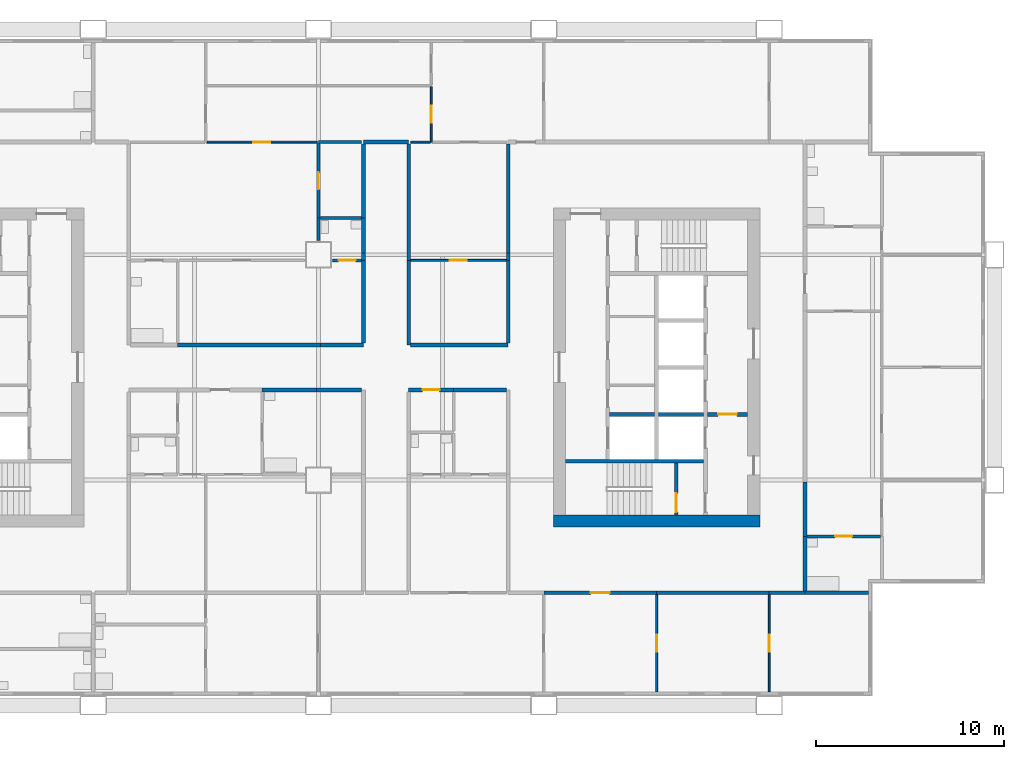
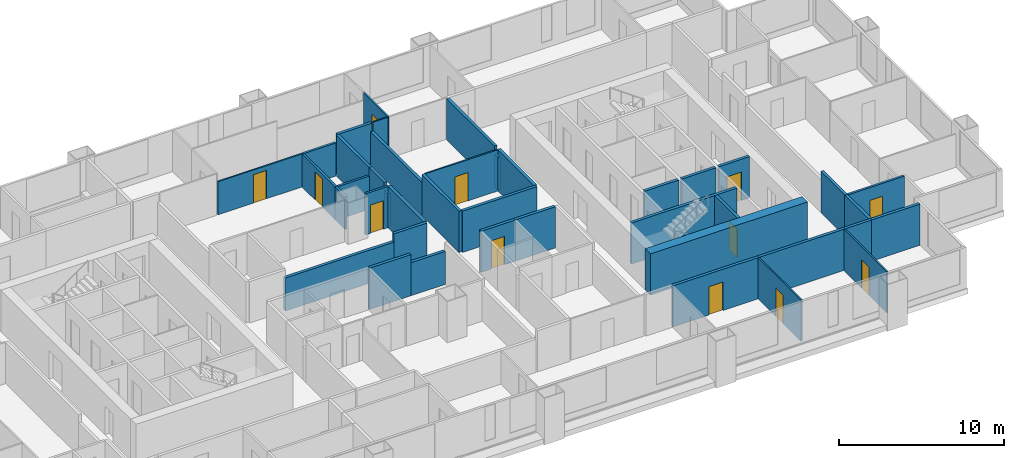
# One storey, part 6 of 11: 41 walls, 12 doors, 12 openings.
"""IFC4 building model written with IfcOpenShell, lengths in metres."""

from ifc_helpers import new_model, si_unit, direction, frame, frame_2d, origin, place, context, subcontext, project, spatial, rectangle, extrude, material, layer, layer_set, type_object, element, fill, save


model = new_model("IFC4")

# Units and contexts
model_context = context("Model", 3, precision=1e-05, world=origin(), true_north=direction((0.0, 1.0)))
body_context = subcontext(model_context, "Body", "Model", "MODEL_VIEW")
ifc_project = project(units=[si_unit("LENGTHUNIT", "METRE"), si_unit("AREAUNIT", "SQUARE_METRE"), si_unit("VOLUMEUNIT", "CUBIC_METRE"), si_unit("PLANEANGLEUNIT", "RADIAN"), si_unit("MASSUNIT", "GRAM", prefix="KILO")], contexts=[model_context])

# Site, building, storey
site_placement = place(None, origin())
site = spatial("IfcSite", under=ifc_project, at=site_placement, CompositionType="ELEMENT")
building_placement = place(site_placement, origin())
building = spatial("IfcBuilding", under=site, at=building_placement, Name="Kitamizu Gate Tower and Museum", CompositionType="ELEMENT")
storey_placement = place(building_placement, frame((0.0, 0.0, 141.449951171875)))
storey = spatial("IfcBuildingStorey", under=building, at=storey_placement, Name="L37", CompositionType="ELEMENT", Elevation=141.449951171875)

# Wall
ifc_material_1 = material(Name="Concrete Fc60", Category="concrete")
ifc_layer_1 = layer(ifc_material_1, 0.64990234375)
ifc_layer_set_1 = layer_set([ifc_layer_1], Name="Concrete Fc60")
wall_type_1 = type_object("IfcWallType", Name="Core wall 650", PredefinedType="SHEAR", material=ifc_layer_set_1)
wall_1_placement = place(storey_placement, frame((59.5, 21.824951171875, 0.0), z_axis=(0.0, 0.0, 1.0), x_axis=(-1.0, 0.0, 0.0)))
element("IfcWall", 1, at=wall_1_placement, inside=storey, type_object=wall_type_1, Name="Core wall ES", PredefinedType="SHEAR", context=body_context, shape_type="SweptSolid", body=[
    extrude(rectangle(XDim=11.0, YDim=0.64990234375, at=frame_2d((5.5, 0.0))), origin(), (0.0, 0.0, 1.0), 3.050048828125),
])

# Wall, opening, door
ifc_material_2 = material(Name="Gypsum board on galvanised stud")
ifc_layer_2 = layer(ifc_material_2, 0.10009765625)
ifc_layer_set_2 = layer_set([ifc_layer_2], Name="Gypsum board on galvanised stud")
wall_type_2 = type_object("IfcWallType", Name="Partition 100 NOT RATED", PredefinedType="PARTITIONING", material=ifc_layer_set_2)
wall_2_placement = place(storey_placement, frame((54.0, 12.719970703125, 0.0), z_axis=(0.0, 0.0, 1.0), x_axis=(0.0, 1.0, 0.0)))
wall_2 = element("IfcWall", 2, at=wall_2_placement, inside=storey, type_object=wall_type_2, Name="Partition L37-065", PredefinedType="PARTITIONING", context=body_context, shape_type="SweptSolid", body=[
    extrude(rectangle(XDim=5.179931640625, YDim=0.10009765625, at=frame_2d((2.58984375, 0.0))), origin(), (0.0, 0.0, 1.0), 3.050048828125),
])
opening_1_placement = place(wall_2_placement, frame((2.139892578125, 0.0, 0.0)))
opening_1 = element("IfcOpeningElement", 3, at=opening_1_placement, cuts=wall_2, Name="Opening L37-024", PredefinedType="OPENING", context=body_context, shape_type="SweptSolid", body=[
    extrude(rectangle(XDim=0.89990234375, YDim=2.10009765625, at=frame_2d((0.449951171875, 1.050048828125))), frame((0.0, 0.06005859375, 0.0), z_axis=(0.0, -1.0, 0.0), x_axis=(1.0, 0.0, 0.0)), (0.0, 0.0, 1.0), 0.1201171875),
])
ifc_material_3 = material(Name="Timber door set", Category="wood")
door_type_1 = type_object("IfcDoorType", Name="Room door 900", OperationType="NOTDEFINED", PredefinedType="DOOR", material=ifc_material_3)
door_1_placement = place(opening_1_placement, frame((0.89990234375, 0.0, 0.0), x_axis=(-1.0, 0.0, 0.0)))
door_1 = element("IfcDoor", 4, at=door_1_placement, inside=storey, type_object=door_type_1, Name="Door L37-024", OperationType="SINGLE_SWING_LEFT", OverallHeight=2.10009765625, OverallWidth=0.89990234375, PredefinedType="DOOR", context=body_context, shape_type="SweptSolid", body=[
    extrude(rectangle(XDim=0.89990234375, YDim=2.10009765625, at=frame_2d((0.449951171875, 1.050048828125))), frame((0.0, 0.02490234375, 0.0), z_axis=(0.0, -1.0, 0.0), x_axis=(1.0, 0.0, 0.0)), (0.0, 0.0, 1.0), 0.050048828125),
])
fill(opening_1, door_1)

wall_3_placement = place(storey_placement, frame((60.0, 12.719970703125, 0.0), z_axis=(0.0, 0.0, 1.0), x_axis=(0.0, 1.0, 0.0)))
wall_3 = element("IfcWall", 5, at=wall_3_placement, inside=storey, type_object=wall_type_2, Name="Partition L37-067", PredefinedType="PARTITIONING", context=body_context, shape_type="SweptSolid", body=[
    extrude(rectangle(XDim=5.179931640625, YDim=0.10009765625, at=frame_2d((2.58984375, 0.0))), origin(), (0.0, 0.0, 1.0), 3.050048828125),
])
opening_2_placement = place(wall_3_placement, frame((2.139892578125, 0.0, 0.0)))
opening_2 = element("IfcOpeningElement", 6, at=opening_2_placement, cuts=wall_3, Name="Opening L37-026", PredefinedType="OPENING", context=body_context, shape_type="SweptSolid", body=[
    extrude(rectangle(XDim=0.89990234375, YDim=2.10009765625, at=frame_2d((0.449951171875, 1.050048828125))), frame((0.0, 0.06005859375, 0.0), z_axis=(0.0, -1.0, 0.0), x_axis=(1.0, 0.0, 0.0)), (0.0, 0.0, 1.0), 0.1201171875),
])
door_2_placement = place(opening_2_placement, frame((0.89990234375, 0.0, 0.0), x_axis=(-1.0, 0.0, 0.0)))
door_2 = element("IfcDoor", 7, at=door_2_placement, inside=storey, type_object=door_type_1, Name="Door L37-026", OperationType="SINGLE_SWING_LEFT", OverallHeight=2.10009765625, OverallWidth=0.89990234375, PredefinedType="DOOR", context=body_context, shape_type="SweptSolid", body=[
    extrude(rectangle(XDim=0.89990234375, YDim=2.10009765625, at=frame_2d((0.449951171875, 1.050048828125))), frame((0.0, 0.02490234375, 0.0), z_axis=(0.0, -1.0, 0.0), x_axis=(1.0, 0.0, 0.0)), (0.0, 0.0, 1.0), 0.050048828125),
])
fill(opening_2, door_2)

wall_4_placement = place(storey_placement, frame((42.0, 42.0, 0.0), z_axis=(0.0, 0.0, 1.0), x_axis=(0.0, 1.0, 0.0)))
wall_4 = element("IfcWall", 8, at=wall_4_placement, inside=storey, type_object=wall_type_2, Name="Partition L37-119", PredefinedType="PARTITIONING", context=body_context, shape_type="SweptSolid", body=[
    extrude(rectangle(XDim=2.949951171875, YDim=0.10009765625, at=frame_2d((1.47509765625, 0.0))), origin(), (0.0, 0.0, 1.0), 3.050048828125),
])
opening_3_placement = place(wall_4_placement, frame((1.02490234375, 0.0, 0.0)))
opening_3 = element("IfcOpeningElement", 9, at=opening_3_placement, cuts=wall_4, Name="Opening L37-044", PredefinedType="OPENING", context=body_context, shape_type="SweptSolid", body=[
    extrude(rectangle(XDim=0.89990234375, YDim=2.10009765625, at=frame_2d((0.449951171875, 1.050048828125))), frame((0.0, 0.06005859375, 0.0), z_axis=(0.0, -1.0, 0.0), x_axis=(1.0, 0.0, 0.0)), (0.0, 0.0, 1.0), 0.1201171875),
])
door_3_placement = place(opening_3_placement, origin())
door_3 = element("IfcDoor", 10, at=door_3_placement, inside=storey, type_object=door_type_1, Name="Door L37-044", OperationType="SINGLE_SWING_RIGHT", OverallHeight=2.10009765625, OverallWidth=0.89990234375, PredefinedType="DOOR", context=body_context, shape_type="SweptSolid", body=[
    extrude(rectangle(XDim=0.89990234375, YDim=2.10009765625, at=frame_2d((0.449951171875, 1.050048828125))), frame((0.0, 0.02490234375, 0.0), z_axis=(0.0, -1.0, 0.0), x_axis=(1.0, 0.0, 0.0)), (0.0, 0.0, 1.0), 0.050048828125),
])
fill(opening_3, door_3)

wall_5_placement = place(storey_placement, frame((30.050048828125, 42.0, 0.0), z_axis=(0.0, 0.0, 1.0), x_axis=(1.0, 0.0, 0.0)))
wall_5 = element("IfcWall", 11, at=wall_5_placement, inside=storey, type_object=wall_type_2, Name="Partition L37-120", PredefinedType="PARTITIONING", context=body_context, shape_type="SweptSolid", body=[
    extrude(rectangle(XDim=5.875, YDim=0.10009765625, at=frame_2d((2.9375, 0.0))), origin(), (0.0, 0.0, 1.0), 2.449951171875),
])
opening_4_placement = place(wall_5_placement, frame((2.487548828125, 0.0, 0.0)))
opening_4 = element("IfcOpeningElement", 12, at=opening_4_placement, cuts=wall_5, Name="Opening L37-049", PredefinedType="OPENING", context=body_context, shape_type="SweptSolid", body=[
    extrude(rectangle(XDim=0.89990234375, YDim=2.10009765625, at=frame_2d((0.449951171875, 1.050048828125))), frame((0.0, 0.06005859375, 0.0), z_axis=(0.0, -1.0, 0.0), x_axis=(1.0, 0.0, 0.0)), (0.0, 0.0, 1.0), 0.1201171875),
])
door_4_placement = place(opening_4_placement, origin())
door_4 = element("IfcDoor", 13, at=door_4_placement, inside=storey, type_object=door_type_1, Name="Door L37-049", OperationType="SINGLE_SWING_RIGHT", OverallHeight=2.10009765625, OverallWidth=0.89990234375, PredefinedType="DOOR", context=body_context, shape_type="SweptSolid", body=[
    extrude(rectangle(XDim=0.89990234375, YDim=2.10009765625, at=frame_2d((0.449951171875, 1.050048828125))), frame((0.0, 0.02490234375, 0.0), z_axis=(0.0, -1.0, 0.0), x_axis=(1.0, 0.0, 0.0)), (0.0, 0.0, 1.0), 0.050048828125),
])
fill(opening_4, door_4)

# Wall
wall_6_placement = place(storey_placement, frame((40.89990234375, 42.0, 0.0), z_axis=(0.0, 0.0, 1.0), x_axis=(1.0, 0.0, 0.0)))
element("IfcWall", 14, at=wall_6_placement, inside=storey, type_object=wall_type_2, Name="Partition L37-122", PredefinedType="PARTITIONING", context=body_context, shape_type="SweptSolid", body=[
    extrude(rectangle(XDim=1.050048828125, YDim=0.10009765625, at=frame_2d((0.52490234375, 0.0))), origin(), (0.0, 0.0, 1.0), 3.050048828125),
])

# Wall, opening, door
wall_7_placement = place(storey_placement, frame((40.89990234375, 35.699951171875, 0.0), z_axis=(0.0, 0.0, 1.0), x_axis=(1.0, 0.0, 0.0)))
wall_7 = element("IfcWall", 15, at=wall_7_placement, inside=storey, type_object=wall_type_2, Name="Partition L37-147", PredefinedType="PARTITIONING", context=body_context, shape_type="SweptSolid", body=[
    extrude(rectangle(XDim=5.10009765625, YDim=0.10009765625, at=frame_2d((2.550048828125, 0.0))), origin(), (0.0, 0.0, 1.0), 3.050048828125),
])
opening_5_placement = place(wall_7_placement, frame((2.10009765625, 0.0, 0.0)))
opening_5 = element("IfcOpeningElement", 16, at=opening_5_placement, cuts=wall_7, Name="Opening L37-053", PredefinedType="OPENING", context=body_context, shape_type="SweptSolid", body=[
    extrude(rectangle(XDim=0.89990234375, YDim=2.10009765625, at=frame_2d((0.449951171875, 1.050048828125))), frame((0.0, 0.06005859375, 0.0), z_axis=(0.0, -1.0, 0.0), x_axis=(1.0, 0.0, 0.0)), (0.0, 0.0, 1.0), 0.1201171875),
])
door_5_placement = place(opening_5_placement, frame((0.89990234375, 0.0, 0.0), x_axis=(-1.0, 0.0, 0.0)))
door_5 = element("IfcDoor", 17, at=door_5_placement, inside=storey, type_object=door_type_1, Name="Door L37-053", OperationType="SINGLE_SWING_LEFT", OverallHeight=2.10009765625, OverallWidth=0.89990234375, PredefinedType="DOOR", context=body_context, shape_type="SweptSolid", body=[
    extrude(rectangle(XDim=0.89990234375, YDim=2.10009765625, at=frame_2d((0.449951171875, 1.050048828125))), frame((0.0, 0.02490234375, 0.0), z_axis=(0.0, -1.0, 0.0), x_axis=(1.0, 0.0, 0.0)), (0.0, 0.0, 1.0), 0.050048828125),
])
fill(opening_5, door_5)

ifc_material_4 = material(Name="Gypsum board on galvanised stud")
ifc_layer_3 = layer(ifc_material_4, 0.14990234375)
ifc_layer_set_3 = layer_set([ifc_layer_3], Name="Gypsum board on galvanised stud")
wall_type_3 = type_object("IfcWallType", Name="Partition 150", PredefinedType="PARTITIONING", material=ifc_layer_set_3)
wall_8_placement = place(storey_placement, frame((65.925048828125, 21.0, 0.0), z_axis=(0.0, 0.0, 1.0), x_axis=(-1.0, 0.0, 0.0)))
wall_8 = element("IfcWall", 18, at=wall_8_placement, inside=storey, type_object=wall_type_3, Name="Partition L37-094", PredefinedType="PARTITIONING", context=body_context, shape_type="SweptSolid", body=[
    extrude(rectangle(XDim=3.925048828125, YDim=0.14990234375, at=frame_2d((1.96240234375, 0.0))), origin(), (0.0, 0.0, 1.0), 3.050048828125),
])
opening_6_placement = place(wall_8_placement, frame((1.512451171875, 0.0, 0.0)))
opening_6 = element("IfcOpeningElement", 19, at=opening_6_placement, cuts=wall_8, Name="Opening L37-037", PredefinedType="OPENING", context=body_context, shape_type="SweptSolid", body=[
    extrude(rectangle(XDim=0.89990234375, YDim=2.10009765625, at=frame_2d((0.449951171875, 1.050048828125))), frame((0.0, 0.0849609375, 0.0), z_axis=(0.0, -1.0, 0.0), x_axis=(1.0, 0.0, 0.0)), (0.0, 0.0, 1.0), 0.169921875),
])
ifc_material_5 = material(Name="Timber door set", Category="wood")
door_type_2 = type_object("IfcDoorType", Name="Bathroom door 900", OperationType="NOTDEFINED", PredefinedType="DOOR", material=ifc_material_5)
door_6_placement = place(opening_6_placement, origin())
door_6 = element("IfcDoor", 20, at=door_6_placement, inside=storey, type_object=door_type_2, Name="Bathroom door L37-037", OperationType="SINGLE_SWING_RIGHT", OverallHeight=2.10009765625, OverallWidth=0.89990234375, PredefinedType="DOOR", context=body_context, shape_type="SweptSolid", body=[
    extrude(rectangle(XDim=0.89990234375, YDim=2.10009765625, at=frame_2d((0.449951171875, 1.050048828125))), frame((0.0, 0.02490234375, 0.0), z_axis=(0.0, -1.0, 0.0), x_axis=(1.0, 0.0, 0.0)), (0.0, 0.0, 1.0), 0.050048828125),
])
fill(opening_6, door_6)

# Walls
wall_9_placement = place(storey_placement, frame((36.0, 42.0, 0.0), z_axis=(0.0, 0.0, 1.0), x_axis=(1.0, 0.0, 0.0)))
element("IfcWall", 21, at=wall_9_placement, inside=storey, type_object=wall_type_3, Name="Partition L37-121", PredefinedType="PARTITIONING", context=body_context, shape_type="SweptSolid", body=[
    extrude(rectangle(XDim=2.300048828125, YDim=0.14990234375, at=frame_2d((1.14990234375, 0.0))), origin(), (0.0, 0.0, 1.0), 2.449951171875),
])
wall_10_placement = place(storey_placement, frame((36.0, 36.75, 0.0), z_axis=(0.0, 0.0, 1.0), x_axis=(0.0, 1.0, 0.0)))
element("IfcWall", 22, at=wall_10_placement, inside=storey, type_object=wall_type_3, Name="Partition L37-131", PredefinedType="PARTITIONING", context=body_context, shape_type="SweptSolid", body=[
    extrude(rectangle(XDim=1.199951171875, YDim=0.14990234375, at=frame_2d((0.60009765625, 0.0))), origin(), (0.0, 0.0, 1.0), 2.449951171875),
])

# Wall, opening, door
wall_11_placement = place(storey_placement, frame((36.0, 37.949951171875, 0.0), z_axis=(0.0, 0.0, 1.0), x_axis=(0.0, 1.0, 0.0)))
wall_11 = element("IfcWall", 23, at=wall_11_placement, inside=storey, type_object=wall_type_3, Name="Partition L37-132", PredefinedType="PARTITIONING", context=body_context, shape_type="SweptSolid", body=[
    extrude(rectangle(XDim=3.97509765625, YDim=0.14990234375, at=frame_2d((1.987548828125, 0.0))), origin(), (0.0, 0.0, 1.0), 2.449951171875),
])
opening_7_placement = place(wall_11_placement, frame((1.53759765625, 0.0, 0.0)))
opening_7 = element("IfcOpeningElement", 24, at=opening_7_placement, cuts=wall_11, Name="Opening L37-050", PredefinedType="OPENING", context=body_context, shape_type="SweptSolid", body=[
    extrude(rectangle(XDim=0.89990234375, YDim=2.10009765625, at=frame_2d((0.449951171875, 1.050048828125))), frame((0.0, 0.0849609375, 0.0), z_axis=(0.0, -1.0, 0.0), x_axis=(1.0, 0.0, 0.0)), (0.0, 0.0, 1.0), 0.169921875),
])
door_7_placement = place(opening_7_placement, frame((0.89990234375, 0.0, 0.0), x_axis=(-1.0, 0.0, 0.0)))
door_7 = element("IfcDoor", 25, at=door_7_placement, inside=storey, type_object=door_type_2, Name="Bathroom door L37-050", OperationType="SINGLE_SWING_RIGHT", OverallHeight=2.10009765625, OverallWidth=0.89990234375, PredefinedType="DOOR", context=body_context, shape_type="SweptSolid", body=[
    extrude(rectangle(XDim=0.89990234375, YDim=2.10009765625, at=frame_2d((0.449951171875, 1.050048828125))), frame((0.0, 0.02490234375, 0.0), z_axis=(0.0, -1.0, 0.0), x_axis=(1.0, 0.0, 0.0)), (0.0, 0.0, 1.0), 0.050048828125),
])
fill(opening_7, door_7)

# Wall
wall_12_placement = place(storey_placement, frame((38.300048828125, 37.949951171875, 0.0), z_axis=(0.0, 0.0, 1.0), x_axis=(-1.0, 0.0, 0.0)))
element("IfcWall", 26, at=wall_12_placement, inside=storey, type_object=wall_type_3, Name="Partition L37-136", PredefinedType="PARTITIONING", context=body_context, shape_type="SweptSolid", body=[
    extrude(rectangle(XDim=2.22509765625, YDim=0.14990234375, at=frame_2d((1.112548828125, 0.0))), origin(), (0.0, 0.0, 1.0), 2.449951171875),
])

# Wall, opening, door
wall_13_placement = place(storey_placement, frame((36.75, 35.699951171875, 0.0), z_axis=(0.0, 0.0, 1.0), x_axis=(1.0, 0.0, 0.0)))
wall_13 = element("IfcWall", 27, at=wall_13_placement, inside=storey, type_object=wall_type_3, Name="Partition L37-137", PredefinedType="PARTITIONING", context=body_context, shape_type="SweptSolid", body=[
    extrude(rectangle(XDim=1.550048828125, YDim=0.14990234375, at=frame_2d((0.77490234375, 0.0))), origin(), (0.0, 0.0, 1.0), 3.050048828125),
])
opening_8_placement = place(wall_13_placement, frame((0.324951171875, 0.0, 0.0)))
opening_8 = element("IfcOpeningElement", 28, at=opening_8_placement, cuts=wall_13, Name="Opening L37-054", PredefinedType="OPENING", context=body_context, shape_type="SweptSolid", body=[
    extrude(rectangle(XDim=0.89990234375, YDim=2.10009765625, at=frame_2d((0.449951171875, 1.050048828125))), frame((0.0, 0.0849609375, 0.0), z_axis=(0.0, -1.0, 0.0), x_axis=(1.0, 0.0, 0.0)), (0.0, 0.0, 1.0), 0.169921875),
])
door_8_placement = place(opening_8_placement, origin())
door_8 = element("IfcDoor", 29, at=door_8_placement, inside=storey, type_object=door_type_2, Name="Bathroom door L37-054", OperationType="SINGLE_SWING_LEFT", OverallHeight=2.10009765625, OverallWidth=0.89990234375, PredefinedType="DOOR", context=body_context, shape_type="SweptSolid", body=[
    extrude(rectangle(XDim=0.89990234375, YDim=2.10009765625, at=frame_2d((0.449951171875, 1.050048828125))), frame((0.0, 0.02490234375, 0.0), z_axis=(0.0, -1.0, 0.0), x_axis=(1.0, 0.0, 0.0)), (0.0, 0.0, 1.0), 0.050048828125),
])
fill(opening_8, door_8)

# Walls
ifc_material_6 = material(Name="Gypsum board on galvanised stud")
ifc_layer_4 = layer(ifc_material_6, 0.199951171875)
ifc_layer_set_4 = layer_set([ifc_layer_4], Name="Gypsum board on galvanised stud")
wall_type_4 = type_object("IfcWallType", Name="Partition 200", PredefinedType="PARTITIONING", material=ifc_layer_set_4)
wall_14_placement = place(storey_placement, frame((38.300048828125, 28.800048828125, 0.0), z_axis=(0.0, 0.0, 1.0), x_axis=(-1.0, 0.0, 0.0)))
element("IfcWall", 30, at=wall_14_placement, inside=storey, type_object=wall_type_4, Name="Partition L37-054", PredefinedType="PARTITIONING", context=body_context, shape_type="SweptSolid", body=[
    extrude(rectangle(XDim=2.400146484375, YDim=0.199951171875, at=frame_2d((1.2001953125, 0.0))), origin(), (0.0, 0.0, 1.0), 2.449951171875),
])
wall_15_placement = place(storey_placement, frame((35.89990234375, 28.800048828125, 0.0), z_axis=(0.0, 0.0, 1.0), x_axis=(-1.0, 0.0, 0.0)))
element("IfcWall", 31, at=wall_15_placement, inside=storey, type_object=wall_type_4, Name="Partition L37-055", PredefinedType="PARTITIONING", context=body_context, shape_type="SweptSolid", body=[
    extrude(rectangle(XDim=2.89990234375, YDim=0.199951171875, at=frame_2d((1.449951171875, 0.0))), origin(), (0.0, 0.0, 1.0), 3.050048828125),
])

# Wall, opening, door
wall_16_placement = place(storey_placement, frame((54.0, 18.0, 0.0), z_axis=(0.0, 0.0, 1.0), x_axis=(-1.0, 0.0, 0.0)))
wall_16 = element("IfcWall", 32, at=wall_16_placement, inside=storey, type_object=wall_type_4, Name="Partition L37-066", PredefinedType="PARTITIONING", context=body_context, shape_type="SweptSolid", body=[
    extrude(rectangle(XDim=6.0, YDim=0.199951171875, at=frame_2d((3.0, 0.0))), origin(), (0.0, 0.0, 1.0), 3.050048828125),
])
opening_9_placement = place(wall_16_placement, frame((2.5, 0.0, 0.0)))
opening_9 = element("IfcOpeningElement", 33, at=opening_9_placement, cuts=wall_16, Name="Opening L37-019", PredefinedType="OPENING", context=body_context, shape_type="SweptSolid", body=[
    extrude(rectangle(XDim=1.0, YDim=2.10009765625, at=frame_2d((0.5, 1.050048828125))), frame((0.0, 0.10986328125, 0.0), z_axis=(0.0, -1.0, 0.0), x_axis=(1.0, 0.0, 0.0)), (0.0, 0.0, 1.0), 0.219970703125),
])
ifc_material_7 = material(Name="Timber door set", Category="wood")
door_type_3 = type_object("IfcDoorType", Name="Flat entrance door 1000", OperationType="NOTDEFINED", PredefinedType="DOOR", material=ifc_material_7)
door_9_placement = place(opening_9_placement, origin())
door_9 = element("IfcDoor", 34, at=door_9_placement, inside=storey, type_object=door_type_3, Name="Flat entrance door L37-019", OperationType="SINGLE_SWING_LEFT", OverallHeight=2.10009765625, OverallWidth=1.0, PredefinedType="DOOR", context=body_context, shape_type="SweptSolid", body=[
    extrude(rectangle(XDim=1.0, YDim=2.10009765625, at=frame_2d((0.5, 1.050048828125))), frame((0.0, 0.02490234375, 0.0), z_axis=(0.0, -1.0, 0.0), x_axis=(1.0, 0.0, 0.0)), (0.0, 0.0, 1.0), 0.050048828125),
])
fill(opening_9, door_9)

# Walls
wall_17_placement = place(storey_placement, frame((60.0, 18.0, 0.0), z_axis=(0.0, 0.0, 1.0), x_axis=(-1.0, 0.0, 0.0)))
element("IfcWall", 35, at=wall_17_placement, inside=storey, type_object=wall_type_4, Name="Partition L37-068", PredefinedType="PARTITIONING", context=body_context, shape_type="SweptSolid", body=[
    extrude(rectangle(XDim=6.0, YDim=0.199951171875, at=frame_2d((3.0, 0.0))), origin(), (0.0, 0.0, 1.0), 3.050048828125),
])
wall_18_placement = place(storey_placement, frame((65.280029296875, 18.0, 0.0), z_axis=(0.0, 0.0, 1.0), x_axis=(-1.0, 0.0, 0.0)))
element("IfcWall", 36, at=wall_18_placement, inside=storey, type_object=wall_type_4, Name="Partition L37-069", PredefinedType="PARTITIONING", context=body_context, shape_type="SweptSolid", body=[
    extrude(rectangle(XDim=3.380126953125, YDim=0.199951171875, at=frame_2d((1.68994140625, 0.0))), origin(), (0.0, 0.0, 1.0), 3.050048828125),
])
wall_19_placement = place(storey_placement, frame((61.89990234375, 18.0, 0.0), z_axis=(0.0, 0.0, 1.0), x_axis=(-1.0, 0.0, 0.0)))
element("IfcWall", 37, at=wall_19_placement, inside=storey, type_object=wall_type_4, Name="Partition L37-070", PredefinedType="PARTITIONING", context=body_context, shape_type="SweptSolid", body=[
    extrude(rectangle(XDim=1.89990234375, YDim=0.199951171875, at=frame_2d((0.949951171875, 0.0))), origin(), (0.0, 0.0, 1.0), 3.050048828125),
])

# Wall, opening, door
wall_20_placement = place(storey_placement, frame((43.199951171875, 28.800048828125, 0.0), z_axis=(0.0, 0.0, 1.0), x_axis=(-1.0, 0.0, 0.0)))
wall_20 = element("IfcWall", 38, at=wall_20_placement, inside=storey, type_object=wall_type_4, Name="Partition L37-080", PredefinedType="PARTITIONING", context=body_context, shape_type="SweptSolid", body=[
    extrude(rectangle(XDim=2.39990234375, YDim=0.199951171875, at=frame_2d((1.199951171875, 0.0))), origin(), (0.0, 0.0, 1.0), 3.050048828125),
])
opening_10_placement = place(wall_20_placement, frame((0.75, 0.0, 0.0)))
opening_10 = element("IfcOpeningElement", 39, at=opening_10_placement, cuts=wall_20, Name="Opening L37-029", PredefinedType="OPENING", context=body_context, shape_type="SweptSolid", body=[
    extrude(rectangle(XDim=0.89990234375, YDim=2.10009765625, at=frame_2d((0.449951171875, 1.050048828125))), frame((0.0, 0.10986328125, 0.0), z_axis=(0.0, -1.0, 0.0), x_axis=(1.0, 0.0, 0.0)), (0.0, 0.0, 1.0), 0.219970703125),
])
ifc_material_8 = material(Name="Timber door set", Category="wood")
door_type_4 = type_object("IfcDoorType", Name="Store door 900", OperationType="NOTDEFINED", PredefinedType="DOOR", material=ifc_material_8)
door_10_placement = place(opening_10_placement, origin())
door_10 = element("IfcDoor", 40, at=door_10_placement, inside=storey, type_object=door_type_4, Name="Service entrance door L37-029", OperationType="SINGLE_SWING_LEFT", OverallHeight=2.10009765625, OverallWidth=0.89990234375, PredefinedType="DOOR", context=body_context, shape_type="SweptSolid", body=[
    extrude(rectangle(XDim=0.89990234375, YDim=2.10009765625, at=frame_2d((0.449951171875, 1.050048828125))), frame((0.0, 0.02490234375, 0.0), z_axis=(0.0, -1.0, 0.0), x_axis=(1.0, 0.0, 0.0)), (0.0, 0.0, 1.0), 0.050048828125),
])
fill(opening_10, door_10)

# Walls
wall_21_placement = place(storey_placement, frame((46.0, 28.800048828125, 0.0), z_axis=(0.0, 0.0, 1.0), x_axis=(-1.0, 0.0, 0.0)))
element("IfcWall", 41, at=wall_21_placement, inside=storey, type_object=wall_type_4, Name="Partition L37-083", PredefinedType="PARTITIONING", context=body_context, shape_type="SweptSolid", body=[
    extrude(rectangle(XDim=2.800048828125, YDim=0.199951171875, at=frame_2d((1.39990234375, 0.0))), origin(), (0.0, 0.0, 1.0), 3.050048828125),
])
for number, where, z_axis, x_axis, name in (
    (42, (61.89990234375, 21.0, 0.0), (0.0, 0.0, 1.0), (0.0, -1.0, 0.0), "Partition L37-095"),
    (43, (61.89990234375, 23.89990234375, 0.0), (0.0, 0.0, 1.0), (0.0, -1.0, 0.0), "Partition L37-098"),
):
    element("IfcWall", number, at=place(storey_placement, frame(where, z_axis=z_axis, x_axis=x_axis)), inside=storey, type_object=wall_type_4, Name=name, PredefinedType="PARTITIONING", context=body_context, shape_type="SweptSolid", body=[
        extrude(rectangle(XDim=2.89990234375, YDim=0.199951171875, at=frame_2d((1.449951171875, 0.0))), origin(), (0.0, 0.0, 1.0), 3.050048828125),
    ])
wall_22_placement = place(storey_placement, frame((38.39990234375, 42.0, 0.0), z_axis=(0.0, 0.0, 1.0), x_axis=(1.0, 0.0, 0.0)))
element("IfcWall", 44, at=wall_22_placement, inside=storey, type_object=wall_type_4, Name="Partition L37-123", PredefinedType="PARTITIONING", context=body_context, shape_type="SweptSolid", body=[
    extrude(rectangle(XDim=2.400146484375, YDim=0.199951171875, at=frame_2d((1.2001953125, 0.0))), origin(), (0.0, 0.0, 1.0), 3.050048828125),
])
wall_23_placement = place(storey_placement, frame((38.39990234375, 35.699951171875, 0.0), z_axis=(0.0, 0.0, 1.0), x_axis=(0.0, 1.0, 0.0)))
element("IfcWall", 45, at=wall_23_placement, inside=storey, type_object=wall_type_4, Name="Partition L37-138", PredefinedType="PARTITIONING", context=body_context, shape_type="SweptSolid", body=[
    extrude(rectangle(XDim=0.400146484375, YDim=0.199951171875, at=frame_2d((0.2001953125, 0.0))), origin(), (0.0, 0.0, 1.0), 2.449951171875),
])
wall_24_placement = place(storey_placement, frame((38.39990234375, 36.10009765625, 0.0), z_axis=(0.0, 0.0, 1.0), x_axis=(0.0, 1.0, 0.0)))
element("IfcWall", 46, at=wall_24_placement, inside=storey, type_object=wall_type_4, Name="Partition L37-139", PredefinedType="PARTITIONING", context=body_context, shape_type="SweptSolid", body=[
    extrude(rectangle(XDim=1.849853515625, YDim=0.199951171875, at=frame_2d((0.9248046875, 0.0))), origin(), (0.0, 0.0, 1.0), 3.050048828125),
])
wall_25_placement = place(storey_placement, frame((38.39990234375, 37.949951171875, 0.0), z_axis=(0.0, 0.0, 1.0), x_axis=(0.0, 1.0, 0.0)))
element("IfcWall", 47, at=wall_25_placement, inside=storey, type_object=wall_type_4, Name="Partition L37-140", PredefinedType="PARTITIONING", context=body_context, shape_type="SweptSolid", body=[
    extrude(rectangle(XDim=3.949951171875, YDim=0.199951171875, at=frame_2d((1.97509765625, 0.0))), origin(), (0.0, 0.0, 1.0), 3.050048828125),
])
wall_26_placement = place(storey_placement, frame((28.5, 31.199951171875, 0.0), z_axis=(0.0, 0.0, 1.0), x_axis=(1.0, 0.0, 0.0)))
element("IfcWall", 48, at=wall_26_placement, inside=storey, type_object=wall_type_4, Name="Partition L37-144", PredefinedType="PARTITIONING", context=body_context, shape_type="SweptSolid", body=[
    extrude(rectangle(XDim=7.60009765625, YDim=0.199951171875, at=frame_2d((3.800048828125, 0.0))), origin(), (0.0, 0.0, 1.0), 2.449951171875),
])
wall_27_placement = place(storey_placement, frame((36.10009765625, 31.199951171875, 0.0), z_axis=(0.0, 0.0, 1.0), x_axis=(1.0, 0.0, 0.0)))
element("IfcWall", 49, at=wall_27_placement, inside=storey, type_object=wall_type_4, Name="Partition L37-145", PredefinedType="PARTITIONING", context=body_context, shape_type="SweptSolid", body=[
    extrude(rectangle(XDim=2.2998046875, YDim=0.199951171875, at=frame_2d((1.14990234375, 0.0))), origin(), (0.0, 0.0, 1.0), 3.050048828125),
])
wall_28_placement = place(storey_placement, frame((38.39990234375, 31.300048828125, 0.0), z_axis=(0.0, 0.0, 1.0), x_axis=(0.0, 1.0, 0.0)))
element("IfcWall", 50, at=wall_28_placement, inside=storey, type_object=wall_type_4, Name="Partition L37-146", PredefinedType="PARTITIONING", context=body_context, shape_type="SweptSolid", body=[
    extrude(rectangle(XDim=4.39990234375, YDim=0.199951171875, at=frame_2d((2.199951171875, 0.0))), origin(), (0.0, 0.0, 1.0), 3.050048828125),
])
wall_29_placement = place(storey_placement, frame((40.800048828125, 41.89990234375, 0.0), z_axis=(0.0, 0.0, 1.0), x_axis=(0.0, -1.0, 0.0)))
element("IfcWall", 51, at=wall_29_placement, inside=storey, type_object=wall_type_4, Name="Partition L37-148", PredefinedType="PARTITIONING", context=body_context, shape_type="SweptSolid", body=[
    extrude(rectangle(XDim=6.199951171875, YDim=0.199951171875, at=frame_2d((3.10009765625, 0.0))), origin(), (0.0, 0.0, 1.0), 2.449951171875),
])
wall_30_placement = place(storey_placement, frame((46.10009765625, 35.699951171875, 0.0), z_axis=(0.0, 0.0, 1.0), x_axis=(0.0, 1.0, 0.0)))
element("IfcWall", 52, at=wall_30_placement, inside=storey, type_object=wall_type_4, Name="Partition L37-149", PredefinedType="PARTITIONING", context=body_context, shape_type="SweptSolid", body=[
    extrude(rectangle(XDim=0.400146484375, YDim=0.199951171875, at=frame_2d((0.2001953125, 0.0))), origin(), (0.0, 0.0, 1.0), 2.449951171875),
])
wall_31_placement = place(storey_placement, frame((46.10009765625, 36.10009765625, 0.0), z_axis=(0.0, 0.0, 1.0), x_axis=(0.0, 1.0, 0.0)))
element("IfcWall", 53, at=wall_31_placement, inside=storey, type_object=wall_type_4, Name="Partition L37-150", PredefinedType="PARTITIONING", context=body_context, shape_type="SweptSolid", body=[
    extrude(rectangle(XDim=5.7998046875, YDim=0.199951171875, at=frame_2d((2.89990234375, 0.0))), origin(), (0.0, 0.0, 1.0), 3.050048828125),
])
wall_32_placement = place(storey_placement, frame((40.800048828125, 35.699951171875, 0.0), z_axis=(0.0, 0.0, 1.0), x_axis=(0.0, -1.0, 0.0)))
element("IfcWall", 54, at=wall_32_placement, inside=storey, type_object=wall_type_4, Name="Partition L37-151", PredefinedType="PARTITIONING", context=body_context, shape_type="SweptSolid", body=[
    extrude(rectangle(XDim=4.5, YDim=0.199951171875, at=frame_2d((2.25, 0.0))), origin(), (0.0, 0.0, 1.0), 3.050048828125),
])
wall_33_placement = place(storey_placement, frame((40.89990234375, 31.199951171875, 0.0), z_axis=(0.0, 0.0, 1.0), x_axis=(1.0, 0.0, 0.0)))
element("IfcWall", 55, at=wall_33_placement, inside=storey, type_object=wall_type_4, Name="Partition L37-152", PredefinedType="PARTITIONING", context=body_context, shape_type="SweptSolid", body=[
    extrude(rectangle(XDim=5.2001953125, YDim=0.199951171875, at=frame_2d((2.60009765625, 0.0))), origin(), (0.0, 0.0, 1.0), 3.050048828125),
])
wall_34_placement = place(storey_placement, frame((46.10009765625, 31.300048828125, 0.0), z_axis=(0.0, 0.0, 1.0), x_axis=(0.0, 1.0, 0.0)))
element("IfcWall", 56, at=wall_34_placement, inside=storey, type_object=wall_type_4, Name="Partition L37-153", PredefinedType="PARTITIONING", context=body_context, shape_type="SweptSolid", body=[
    extrude(rectangle(XDim=4.39990234375, YDim=0.199951171875, at=frame_2d((2.199951171875, 0.0))), origin(), (0.0, 0.0, 1.0), 3.050048828125),
])
ifc_material_9 = material(Name="Concrete Fc42", Category="concrete")
ifc_layer_5 = layer(ifc_material_9, 0.199951171875)
ifc_layer_set_5 = layer_set([ifc_layer_5], Name="Concrete Fc42")
wall_type_5 = type_object("IfcWallType", Name="Shaft wall 200", PredefinedType="SOLIDWALL", material=ifc_layer_set_5)
wall_35_placement = place(storey_placement, frame((56.5, 25.0, 0.0), z_axis=(0.0, 0.0, 1.0), x_axis=(-1.0, 0.0, 0.0)))
element("IfcWall", 57, at=wall_35_placement, inside=storey, type_object=wall_type_5, Name="Shaft wall ESB", PredefinedType="SOLIDWALL", context=body_context, shape_type="SweptSolid", body=[
    extrude(rectangle(XDim=7.35009765625, YDim=0.199951171875, at=frame_2d((3.675048828125, 0.0))), origin(), (0.0, 0.0, 1.0), 3.050048828125),
])

# Wall, opening, door
wall_36_placement = place(storey_placement, frame((58.85009765625, 27.5, 0.0), z_axis=(0.0, 0.0, 1.0), x_axis=(-1.0, 0.0, 0.0)))
wall_36 = element("IfcWall", 58, at=wall_36_placement, inside=storey, type_object=wall_type_5, Name="Shaft wall EFFN", PredefinedType="SOLIDWALL", context=body_context, shape_type="SweptSolid", body=[
    extrude(rectangle(XDim=2.150146484375, YDim=0.199951171875, at=frame_2d((1.0751953125, 0.0))), origin(), (0.0, 0.0, 1.0), 3.050048828125),
])
opening_11_placement = place(wall_36_placement, frame((0.574951171875, 0.0, 0.0)))
opening_11 = element("IfcOpeningElement", 59, at=opening_11_placement, cuts=wall_36, Name="Opening L37-071", PredefinedType="OPENING", context=body_context, shape_type="SweptSolid", body=[
    extrude(rectangle(XDim=1.0, YDim=2.10009765625, at=frame_2d((0.5, 1.050048828125))), frame((0.0, 0.10986328125, 0.0), z_axis=(0.0, -1.0, 0.0), x_axis=(1.0, 0.0, 0.0)), (0.0, 0.0, 1.0), 0.219970703125),
])
ifc_material_10 = material(Name="Hollow metal door set")
door_type_5 = type_object("IfcDoorType", Name="Fire door 1000", OperationType="NOTDEFINED", PredefinedType="DOOR", material=ifc_material_10)
door_11_placement = place(opening_11_placement, origin())
door_11 = element("IfcDoor", 60, at=door_11_placement, inside=storey, type_object=door_type_5, Name="Fire-fighting lobby door L37-071", OperationType="SINGLE_SWING_LEFT", OverallHeight=2.10009765625, OverallWidth=1.0, PredefinedType="DOOR", context=body_context, shape_type="SweptSolid", body=[
    extrude(rectangle(XDim=1.0, YDim=2.10009765625, at=frame_2d((0.5, 1.050048828125))), frame((0.0, 0.02490234375, 0.0), z_axis=(0.0, -1.0, 0.0), x_axis=(1.0, 0.0, 0.0)), (0.0, 0.0, 1.0), 0.050048828125),
])
fill(opening_11, door_11)

wall_37_placement = place(storey_placement, frame((55.050048828125, 22.14990234375, 0.0), z_axis=(0.0, 0.0, 1.0), x_axis=(0.0, 1.0, 0.0)))
wall_37 = element("IfcWall", 61, at=wall_37_placement, inside=storey, type_object=wall_type_5, Name="Shaft wall ESZ", PredefinedType="SOLIDWALL", context=body_context, shape_type="SweptSolid", body=[
    extrude(rectangle(XDim=2.75, YDim=0.199951171875, at=frame_2d((1.375, 0.0))), origin(), (0.0, 0.0, 1.0), 3.050048828125),
])
opening_12_placement = place(wall_37_placement, frame((0.14990234375, 0.0, 0.0)))
opening_12 = element("IfcOpeningElement", 62, at=opening_12_placement, cuts=wall_37, Name="Opening L37-067", PredefinedType="OPENING", context=body_context, shape_type="SweptSolid", body=[
    extrude(rectangle(XDim=1.0, YDim=2.10009765625, at=frame_2d((0.5, 1.050048828125))), frame((0.0, 0.10986328125, 0.0), z_axis=(0.0, -1.0, 0.0), x_axis=(1.0, 0.0, 0.0)), (0.0, 0.0, 1.0), 0.219970703125),
])
door_12_placement = place(opening_12_placement, origin())
door_12 = element("IfcDoor", 63, at=door_12_placement, inside=storey, type_object=door_type_5, Name="Stair door L37-067", OperationType="SINGLE_SWING_RIGHT", OverallHeight=2.10009765625, OverallWidth=1.0, PredefinedType="DOOR", context=body_context, shape_type="SweptSolid", body=[
    extrude(rectangle(XDim=1.0, YDim=2.10009765625, at=frame_2d((0.5, 1.050048828125))), frame((0.0, 0.02490234375, 0.0), z_axis=(0.0, -1.0, 0.0), x_axis=(1.0, 0.0, 0.0)), (0.0, 0.0, 1.0), 0.050048828125),
])
fill(opening_12, door_12)

# Walls
for number, where, z_axis, x_axis, name in (
    (64, (56.5, 27.5, 0.0), (0.0, 0.0, 1.0), (-1.0, 0.0, 0.0), "Shaft wall EDVW0"),
    (65, (53.89990234375, 27.5, 0.0), (0.0, 0.0, 1.0), (-1.0, 0.0, 0.0), "Shaft wall EDVE0"),
):
    element("IfcWall", number, at=place(storey_placement, frame(where, z_axis=z_axis, x_axis=x_axis)), inside=storey, type_object=wall_type_5, Name=name, PredefinedType="SOLIDWALL", context=body_context, shape_type="SweptSolid", body=[
        extrude(rectangle(XDim=2.39990234375, YDim=0.199951171875, at=frame_2d((1.199951171875, 0.0))), origin(), (0.0, 0.0, 1.0), 3.050048828125),
    ])

save(model, "model.ifc")
